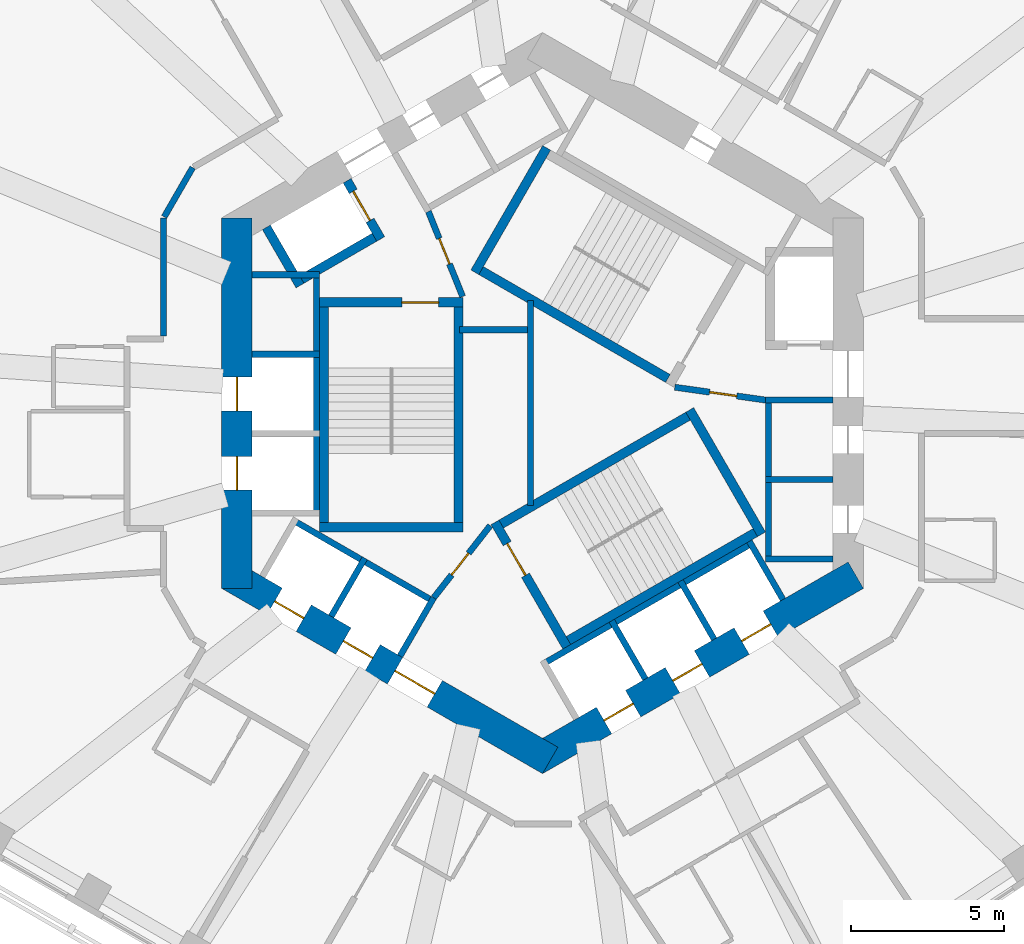
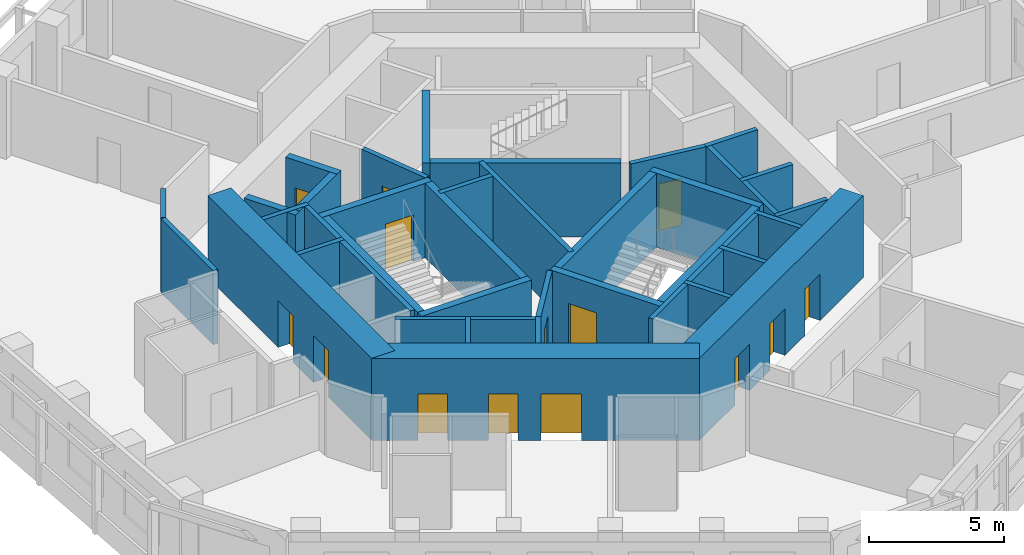
# One storey, part 5 of 11: 37 walls, 14 doors, 14 openings.
"""IFC4 building model written with IfcOpenShell, lengths in metres."""

from ifc_helpers import new_model, si_unit, direction, frame, frame_2d, origin, place, context, subcontext, project, spatial, rectangle, extrude, material, layer, layer_set, type_object, element, fill, save


model = new_model("IFC4")

# Units and contexts
model_context = context("Model", 3, precision=1e-05, world=origin(), true_north=direction((0.0, 1.0)))
body_context = subcontext(model_context, "Body", "Model", "MODEL_VIEW")
ifc_project = project(units=[si_unit("LENGTHUNIT", "METRE"), si_unit("AREAUNIT", "SQUARE_METRE"), si_unit("VOLUMEUNIT", "CUBIC_METRE"), si_unit("PLANEANGLEUNIT", "RADIAN"), si_unit("MASSUNIT", "GRAM", prefix="KILO")], contexts=[model_context])

# Site, building, storey
site_placement = place(None, origin())
site = spatial("IfcSite", under=ifc_project, at=site_placement, CompositionType="ELEMENT")
building_placement = place(site_placement, origin())
building = spatial("IfcBuilding", under=site, at=building_placement, Name="Vanh Sen Convention Tower", CompositionType="ELEMENT")
storey_placement = place(building_placement, frame((0.0, 0.0, 202.10009765625)))
storey = spatial("IfcBuildingStorey", under=building, at=storey_placement, Name="L50", CompositionType="ELEMENT", Elevation=202.10009765625)

# Wall, openings, doors
ifc_material_1 = material(Name="Concrete C80/95", Category="concrete")
ifc_layer_1 = layer(ifc_material_1, 1.0)
ifc_layer_set_1 = layer_set([ifc_layer_1], Name="Concrete C80/95")
wall_type_1 = type_object("IfcWallType", Name="Core outer wall 1000 C80/95", PredefinedType="SHEAR", material=ifc_layer_set_1)
wall_1_placement = place(storey_placement, frame((-10.0, 6.062255859375, 0.0), z_axis=(0.0, 0.0, 1.0), x_axis=(0.0, -1.0, 0.0)))
wall_1 = element("IfcWall", 1, at=wall_1_placement, inside=storey, type_object=wall_type_1, Name="Core wall face W L50", PredefinedType="SHEAR", context=body_context, shape_type="SweptSolid", body=[
    extrude(rectangle(XDim=12.12451171875, YDim=1.0, at=frame_2d((6.062255859375, 0.0))), origin(), (0.0, 0.0, 1.0), 3.699951171875),
])
opening_1_placement = place(wall_1_placement, frame((5.212158203125, 0.0, 0.0)))
opening_1 = element("IfcOpeningElement", 2, at=opening_1_placement, cuts=wall_1, Name="Opening LD-HR1", PredefinedType="OPENING", context=body_context, shape_type="SweptSolid", body=[
    extrude(rectangle(XDim=1.10009765625, YDim=2.10009765625, at=frame_2d((0.550048828125, 1.050048828125))), frame((0.0, 0.510009765625, 0.0), z_axis=(0.0, -1.0, 0.0), x_axis=(1.0, 0.0, 0.0)), (0.0, 0.0, 1.0), 1.02001953125),
])
opening_2_placement = place(wall_1_placement, frame((7.812255859375, 0.0, 0.0)))
opening_2 = element("IfcOpeningElement", 3, at=opening_2_placement, cuts=wall_1, Name="Opening LD-HR2", PredefinedType="OPENING", context=body_context, shape_type="SweptSolid", body=[
    extrude(rectangle(XDim=1.10009765625, YDim=2.10009765625, at=frame_2d((0.550048828125, 1.050048828125))), frame((0.0, 0.510009765625, 0.0), z_axis=(0.0, -1.0, 0.0), x_axis=(1.0, 0.0, 0.0)), (0.0, 0.0, 1.0), 1.02001953125),
])
ifc_material_2 = material(Name="Stainless steel", Category="steel")
door_type_1 = type_object("IfcDoorType", Name="Lift landing door 1100", OperationType="DOUBLE_DOOR_SLIDING", PredefinedType="DOOR", material=ifc_material_2)
door_1_placement = place(opening_1_placement, origin())
door_1 = element("IfcDoor", 4, at=door_1_placement, inside=storey, type_object=door_type_1, Name="Lift HR1 landing door LD-HR1", OperationType="DOUBLE_DOOR_SLIDING", OverallHeight=2.10009765625, OverallWidth=1.10009765625, PredefinedType="DOOR", context=body_context, shape_type="SweptSolid", body=[
    extrude(rectangle(XDim=1.10009765625, YDim=2.10009765625, at=frame_2d((0.550048828125, 1.050048828125))), frame((0.0, 0.02490234375, 0.0), z_axis=(0.0, -1.0, 0.0), x_axis=(1.0, 0.0, 0.0)), (0.0, 0.0, 1.0), 0.050048828125),
])
fill(opening_1, door_1)
door_2_placement = place(opening_2_placement, origin())
door_2 = element("IfcDoor", 5, at=door_2_placement, inside=storey, type_object=door_type_1, Name="Lift HR2 landing door LD-HR2", OperationType="DOUBLE_DOOR_SLIDING", OverallHeight=2.10009765625, OverallWidth=1.10009765625, PredefinedType="DOOR", context=body_context, shape_type="SweptSolid", body=[
    extrude(rectangle(XDim=1.10009765625, YDim=2.10009765625, at=frame_2d((0.550048828125, 1.050048828125))), frame((0.0, 0.02490234375, 0.0), z_axis=(0.0, -1.0, 0.0), x_axis=(1.0, 0.0, 0.0)), (0.0, 0.0, 1.0), 0.050048828125),
])
fill(opening_2, door_2)

wall_2_placement = place(storey_placement, frame((-10.25, -5.629150390625, 0.0), z_axis=(0.0, 0.0, 1.0), x_axis=(0.866022616891, -0.50000482701, 0.0)))
wall_2 = element("IfcWall", 6, at=wall_2_placement, inside=storey, type_object=wall_type_1, Name="Core wall face SW L50", PredefinedType="SHEAR", context=body_context, shape_type="SweptSolid", body=[
    extrude(rectangle(XDim=12.12451171875, YDim=1.0, at=frame_2d((6.062255859375, 0.0))), origin(), (0.0, 0.0, 1.0), 3.699951171875),
])
opening_3_placement = place(wall_2_placement, frame((6.26220703125, 0.0, 0.0)))
opening_3 = element("IfcOpeningElement", 7, at=opening_3_placement, cuts=wall_2, Name="Opening D49003", PredefinedType="OPENING", context=body_context, shape_type="SweptSolid", body=[
    extrude(rectangle(XDim=1.5, YDim=2.10009765625, at=frame_2d((0.75, 1.050048828125))), frame((0.0, 0.510009765625, 0.0), z_axis=(0.0, -1.0, 0.0), x_axis=(1.0, 0.0, 0.0)), (0.0, 0.0, 1.0), 1.02001953125),
])
opening_4_placement = place(wall_2_placement, frame((1.712158203125, 0.0, 0.0)))
opening_4 = element("IfcOpeningElement", 8, at=opening_4_placement, cuts=wall_2, Name="Opening LD-HR3", PredefinedType="OPENING", context=body_context, shape_type="SweptSolid", body=[
    extrude(rectangle(XDim=1.10009765625, YDim=2.10009765625, at=frame_2d((0.550048828125, 1.050048828125))), frame((0.0, 0.510009765625, 0.0), z_axis=(0.0, -1.0, 0.0), x_axis=(1.0, 0.0, 0.0)), (0.0, 0.0, 1.0), 1.02001953125),
])
opening_5_placement = place(wall_2_placement, frame((4.312255859375, 0.0, 0.0)))
opening_5 = element("IfcOpeningElement", 9, at=opening_5_placement, cuts=wall_2, Name="Opening LD-HR4", PredefinedType="OPENING", context=body_context, shape_type="SweptSolid", body=[
    extrude(rectangle(XDim=1.10009765625, YDim=2.10009765625, at=frame_2d((0.550048828125, 1.050048828125))), frame((0.0, 0.510009765625, 0.0), z_axis=(0.0, -1.0, 0.0), x_axis=(1.0, 0.0, 0.0)), (0.0, 0.0, 1.0), 1.02001953125),
])
door_3_placement = place(opening_4_placement, origin())
door_3 = element("IfcDoor", 10, at=door_3_placement, inside=storey, type_object=door_type_1, Name="Lift HR3 landing door LD-HR3", OperationType="DOUBLE_DOOR_SLIDING", OverallHeight=2.10009765625, OverallWidth=1.10009765625, PredefinedType="DOOR", context=body_context, shape_type="SweptSolid", body=[
    extrude(rectangle(XDim=1.10009765625, YDim=2.10009765625, at=frame_2d((0.550048828125, 1.050048828125))), frame((0.0, 0.02490234375, 0.0), z_axis=(0.0, -1.0, 0.0), x_axis=(1.0, 0.0, 0.0)), (0.0, 0.0, 1.0), 0.050048828125),
])
fill(opening_4, door_3)
door_4_placement = place(opening_5_placement, origin())
door_4 = element("IfcDoor", 11, at=door_4_placement, inside=storey, type_object=door_type_1, Name="Lift HR4 landing door LD-HR4", OperationType="DOUBLE_DOOR_SLIDING", OverallHeight=2.10009765625, OverallWidth=1.10009765625, PredefinedType="DOOR", context=body_context, shape_type="SweptSolid", body=[
    extrude(rectangle(XDim=1.10009765625, YDim=2.10009765625, at=frame_2d((0.550048828125, 1.050048828125))), frame((0.0, 0.02490234375, 0.0), z_axis=(0.0, -1.0, 0.0), x_axis=(1.0, 0.0, 0.0)), (0.0, 0.0, 1.0), 0.050048828125),
])
fill(opening_5, door_4)
ifc_material_3 = material(Name="Steel S355", Category="steel")
door_type_2 = type_object("IfcDoorType", Name="Stair lobby door 1500", OperationType="DOUBLE_DOOR_SINGLE_SWING", PredefinedType="DOOR", material=ifc_material_3)
door_5_placement = place(opening_3_placement, origin())
door_5 = element("IfcDoor", 12, at=door_5_placement, inside=storey, type_object=door_type_2, Name="Stair lobby door D49003", OperationType="DOUBLE_DOOR_SINGLE_SWING", OverallHeight=2.10009765625, OverallWidth=1.5, PredefinedType="DOOR", context=body_context, shape_type="SweptSolid", body=[
    extrude(rectangle(XDim=1.5, YDim=2.10009765625, at=frame_2d((0.75, 1.050048828125))), frame((0.0, 0.02490234375, 0.0), z_axis=(0.0, -1.0, 0.0), x_axis=(1.0, 0.0, 0.0)), (0.0, 0.0, 1.0), 0.050048828125),
])
fill(opening_3, door_5)

wall_3_placement = place(storey_placement, frame((-0.25, -11.69140625, 0.0), z_axis=(0.0, 0.0, 1.0), x_axis=(0.866022616891, 0.50000482701, 0.0)))
wall_3 = element("IfcWall", 13, at=wall_3_placement, inside=storey, type_object=wall_type_1, Name="Core wall face SE L50", PredefinedType="SHEAR", context=body_context, shape_type="SweptSolid", body=[
    extrude(rectangle(XDim=12.12451171875, YDim=1.0, at=frame_2d((6.062255859375, 0.0))), origin(), (0.0, 0.0, 1.0), 3.699951171875),
])
opening_6_placement = place(wall_3_placement, frame((2.6123046875, 0.0, 0.0)))
opening_6 = element("IfcOpeningElement", 14, at=opening_6_placement, cuts=wall_3, Name="Opening LD-HR5", PredefinedType="OPENING", context=body_context, shape_type="SweptSolid", body=[
    extrude(rectangle(XDim=1.10009765625, YDim=2.10009765625, at=frame_2d((0.550048828125, 1.050048828125))), frame((0.0, 0.510009765625, 0.0), z_axis=(0.0, -1.0, 0.0), x_axis=(1.0, 0.0, 0.0)), (0.0, 0.0, 1.0), 1.02001953125),
])
opening_7_placement = place(wall_3_placement, frame((5.212158203125, 0.0, 0.0)))
opening_7 = element("IfcOpeningElement", 15, at=opening_7_placement, cuts=wall_3, Name="Opening LD-HR6", PredefinedType="OPENING", context=body_context, shape_type="SweptSolid", body=[
    extrude(rectangle(XDim=1.10009765625, YDim=2.10009765625, at=frame_2d((0.550048828125, 1.050048828125))), frame((0.0, 0.510009765625, 0.0), z_axis=(0.0, -1.0, 0.0), x_axis=(1.0, 0.0, 0.0)), (0.0, 0.0, 1.0), 1.02001953125),
])
opening_8_placement = place(wall_3_placement, frame((7.812255859375, 0.0, 0.0)))
opening_8 = element("IfcOpeningElement", 16, at=opening_8_placement, cuts=wall_3, Name="Opening LD-SV1", PredefinedType="OPENING", context=body_context, shape_type="SweptSolid", body=[
    extrude(rectangle(XDim=1.10009765625, YDim=2.10009765625, at=frame_2d((0.550048828125, 1.050048828125))), frame((0.0, 0.510009765625, 0.0), z_axis=(0.0, -1.0, 0.0), x_axis=(1.0, 0.0, 0.0)), (0.0, 0.0, 1.0), 1.02001953125),
])
door_6_placement = place(opening_6_placement, origin())
door_6 = element("IfcDoor", 17, at=door_6_placement, inside=storey, type_object=door_type_1, Name="Lift HR5 landing door LD-HR5", OperationType="DOUBLE_DOOR_SLIDING", OverallHeight=2.10009765625, OverallWidth=1.10009765625, PredefinedType="DOOR", context=body_context, shape_type="SweptSolid", body=[
    extrude(rectangle(XDim=1.10009765625, YDim=2.10009765625, at=frame_2d((0.550048828125, 1.050048828125))), frame((0.0, 0.02490234375, 0.0), z_axis=(0.0, -1.0, 0.0), x_axis=(1.0, 0.0, 0.0)), (0.0, 0.0, 1.0), 0.050048828125),
])
fill(opening_6, door_6)
door_7_placement = place(opening_7_placement, origin())
door_7 = element("IfcDoor", 18, at=door_7_placement, inside=storey, type_object=door_type_1, Name="Lift HR6 landing door LD-HR6", OperationType="DOUBLE_DOOR_SLIDING", OverallHeight=2.10009765625, OverallWidth=1.10009765625, PredefinedType="DOOR", context=body_context, shape_type="SweptSolid", body=[
    extrude(rectangle(XDim=1.10009765625, YDim=2.10009765625, at=frame_2d((0.550048828125, 1.050048828125))), frame((0.0, 0.02490234375, 0.0), z_axis=(0.0, -1.0, 0.0), x_axis=(1.0, 0.0, 0.0)), (0.0, 0.0, 1.0), 0.050048828125),
])
fill(opening_7, door_7)
door_8_placement = place(opening_8_placement, origin())
door_8 = element("IfcDoor", 19, at=door_8_placement, inside=storey, type_object=door_type_1, Name="Lift SV1 landing door LD-SV1", OperationType="DOUBLE_DOOR_SLIDING", OverallHeight=2.10009765625, OverallWidth=1.10009765625, PredefinedType="DOOR", context=body_context, shape_type="SweptSolid", body=[
    extrude(rectangle(XDim=1.10009765625, YDim=2.10009765625, at=frame_2d((0.550048828125, 1.050048828125))), frame((0.0, 0.02490234375, 0.0), z_axis=(0.0, -1.0, 0.0), x_axis=(1.0, 0.0, 0.0)), (0.0, 0.0, 1.0), 0.050048828125),
])
fill(opening_8, door_8)

# Walls
ifc_material_4 = material(Name="Masonry blockwork", Category="masonry")
ifc_layer_2 = layer(ifc_material_4, 0.199951171875)
ifc_layer_set_2 = layer_set([ifc_layer_2], Name="Masonry blockwork")
wall_type_2 = type_object("IfcWallType", Name="Core partition 200", PredefinedType="PARTITIONING", material=ifc_layer_set_2)
wall_4_placement = place(storey_placement, frame((-2.719970703125, 2.39990234375, 0.0), z_axis=(0.0, 0.0, 1.0), x_axis=(1.0, 0.0, 0.0)))
element("IfcWall", 20, at=wall_4_placement, inside=storey, type_object=wall_type_2, Name="Core partition L50", PredefinedType="PARTITIONING", context=body_context, shape_type="SweptSolid", body=[
    extrude(rectangle(XDim=2.219970703125, YDim=0.199951171875, at=frame_2d((1.10986328125, 0.0))), origin(), (0.0, 0.0, 1.0), 3.349853515625),
])
wall_5_placement = place(storey_placement, frame((-0.39990234375, -3.353271484375, 0.0), z_axis=(0.0, 0.0, 1.0), x_axis=(0.0, 1.0, 0.0)))
element("IfcWall", 21, at=wall_5_placement, inside=storey, type_object=wall_type_2, Name="Core partition L50", PredefinedType="PARTITIONING", context=body_context, shape_type="SweptSolid", body=[
    extrude(rectangle(XDim=6.70654296875, YDim=0.199951171875, at=frame_2d((3.353271484375, 0.0))), origin(), (0.0, 0.0, 1.0), 3.349853515625),
])
ifc_material_5 = material(Name="Gypsum board on steel studs with mineral wool", Category="steel")
ifc_layer_3 = layer(ifc_material_5, 0.199951171875)
ifc_layer_set_3 = layer_set([ifc_layer_3], Name="Gypsum board on steel studs with mineral wool")
wall_type_3 = type_object("IfcWallType", Name="Corridor partition wall 200", PredefinedType="PARTITIONING", material=ifc_layer_set_3)
wall_6_placement = place(storey_placement, frame((-12.39990234375, 6.062255859375, 0.0), z_axis=(0.0, 0.0, 1.0), x_axis=(0.0, -1.0, 0.0)))
element("IfcWall", 22, at=wall_6_placement, inside=storey, type_object=wall_type_3, Name="Corridor partition wall 200", PredefinedType="PARTITIONING", context=body_context, shape_type="SweptSolid", body=[
    extrude(rectangle(XDim=3.861328125, YDim=0.199951171875, at=frame_2d((1.9306640625, 0.0))), origin(), (0.0, 0.0, 1.0), 3.349853515625),
])
wall_7_placement = place(storey_placement, frame((-11.449951171875, 7.70751953125, 0.0), z_axis=(0.0, 0.0, 1.0), x_axis=(-0.499964847546, -0.866045698112, 0.0)))
element("IfcWall", 23, at=wall_7_placement, inside=storey, type_object=wall_type_3, Name="Corridor partition wall 200", PredefinedType="PARTITIONING", context=body_context, shape_type="SweptSolid", body=[
    extrude(rectangle(XDim=1.860107421875, YDim=0.199951171875, at=frame_2d((0.93017578125, 0.0))), origin(), (0.0, 0.0, 1.0), 3.349853515625),
])

# Wall, opening, door
ifc_material_6 = material(Name="Concrete C60/75", Category="concrete")
ifc_layer_4 = layer(ifc_material_6, 0.300048828125)
ifc_layer_set_4 = layer_set([ifc_layer_4], Name="Concrete C60/75")
wall_type_4 = type_object("IfcWallType", Name="Fire-fighting lift shaft wall 300", PredefinedType="SHEAR", material=ifc_layer_set_4)
wall_8_placement = place(storey_placement, frame((-5.29541015625, 5.3720703125, 0.0), z_axis=(0.0, 0.0, 1.0), x_axis=(-0.500077893725, 0.86598042715, 0.0)))
wall_8 = element("IfcWall", 24, at=wall_8_placement, inside=storey, type_object=wall_type_4, Name="Fire-fighting lift shaft wall L50", PredefinedType="SHEAR", context=body_context, shape_type="SweptSolid", body=[
    extrude(rectangle(XDim=2.199951171875, YDim=0.300048828125, at=frame_2d((1.10009765625, 0.0))), origin(), (0.0, 0.0, 1.0), 3.349853515625),
])
opening_9_placement = place(wall_8_placement, frame((0.699951171875, 0.0, 0.0)))
opening_9 = element("IfcOpeningElement", 25, at=opening_9_placement, cuts=wall_8, Name="Opening LD-FF2", PredefinedType="OPENING", context=body_context, shape_type="SweptSolid", body=[
    extrude(rectangle(XDim=1.10009765625, YDim=2.10009765625, at=frame_2d((0.550048828125, 1.050048828125))), frame((0.0, 0.159912109375, 0.0), z_axis=(0.0, -1.0, 0.0), x_axis=(1.0, 0.0, 0.0)), (0.0, 0.0, 1.0), 0.320068359375),
])
door_type_3 = type_object("IfcDoorType", Name="Fire-fighting lift landing door 1100", OperationType="DOUBLE_DOOR_SLIDING", PredefinedType="DOOR", material=ifc_material_2)
door_9_placement = place(opening_9_placement, origin())
door_9 = element("IfcDoor", 26, at=door_9_placement, inside=storey, type_object=door_type_3, Name="Lift FF2 landing door LD-FF2", OperationType="DOUBLE_DOOR_SLIDING", OverallHeight=2.10009765625, OverallWidth=1.10009765625, PredefinedType="DOOR", context=body_context, shape_type="SweptSolid", body=[
    extrude(rectangle(XDim=1.10009765625, YDim=2.10009765625, at=frame_2d((0.550048828125, 1.050048828125))), frame((0.0, 0.02490234375, 0.0), z_axis=(0.0, -1.0, 0.0), x_axis=(1.0, 0.0, 0.0)), (0.0, 0.0, 1.0), 0.050048828125),
])
fill(opening_9, door_9)

# Walls
wall_9_placement = place(storey_placement, frame((-5.240478515625, 5.576904296875, 0.0), z_axis=(0.0, 0.0, 1.0), x_axis=(-0.866014461049, -0.500018952895, 0.0)))
element("IfcWall", 27, at=wall_9_placement, inside=storey, type_object=wall_type_4, Name="Fire-fighting lift shaft wall L50", PredefinedType="SHEAR", context=body_context, shape_type="SweptSolid", body=[
    extrude(rectangle(XDim=3.349853515625, YDim=0.300048828125, at=frame_2d((1.6748046875, 0.0))), origin(), (0.0, 0.0, 1.0), 3.349853515625),
])
wall_10_placement = place(storey_placement, frame((-7.936767578125, 3.846923828125, 0.0), z_axis=(0.0, 0.0, 1.0), x_axis=(-0.50002983664, 0.866008176907, 0.0)))
element("IfcWall", 28, at=wall_10_placement, inside=storey, type_object=wall_type_4, Name="Fire-fighting lift shaft wall L50", PredefinedType="SHEAR", context=body_context, shape_type="SweptSolid", body=[
    extrude(rectangle(XDim=2.199951171875, YDim=0.300048828125, at=frame_2d((1.10009765625, 0.0))), origin(), (0.0, 0.0, 1.0), 3.349853515625),
])
ifc_material_7 = material(Name="Concrete C40/50", Category="concrete")
ifc_layer_5 = layer(ifc_material_7, 0.199951171875)
ifc_layer_set_5 = layer_set([ifc_layer_5], Name="Concrete C40/50")
wall_type_5 = type_object("IfcWallType", Name="Lift shaft wall 200", PredefinedType="PARTITIONING", material=ifc_layer_set_5)
wall_11_placement = place(storey_placement, frame((7.39990234375, -5.199951171875, 0.0), z_axis=(0.0, 0.0, 1.0), x_axis=(0.0, 1.0, 0.0)))
element("IfcWall", 29, at=wall_11_placement, inside=storey, type_object=wall_type_5, Name="Lift shaft wall L50", PredefinedType="PARTITIONING", context=body_context, shape_type="SweptSolid", body=[
    extrude(rectangle(XDim=5.39990234375, YDim=0.199951171875, at=frame_2d((2.699951171875, 0.0))), origin(), (0.0, 0.0, 1.0), 3.349853515625),
])
for number, where, z_axis, x_axis, name in (
    (30, (7.300048828125, -5.10009765625, 0.0), (0.0, 0.0, 1.0), (1.0, 0.0, 0.0), "Lift shaft wall L50"),
    (31, (7.300048828125, -2.5, 0.0), (0.0, 0.0, 1.0), (1.0, 0.0, 0.0), "Lift shaft wall L50"),
    (32, (7.300048828125, 0.10009765625, 0.0), (0.0, 0.0, 1.0), (1.0, 0.0, 0.0), "Lift shaft wall L50"),
):
    element("IfcWall", number, at=place(storey_placement, frame(where, z_axis=z_axis, x_axis=x_axis)), inside=storey, type_object=wall_type_5, Name=name, PredefinedType="PARTITIONING", context=body_context, shape_type="SweptSolid", body=[
        extrude(rectangle(XDim=2.199951171875, YDim=0.199951171875, at=frame_2d((1.10009765625, 0.0))), origin(), (0.0, 0.0, 1.0), 3.349853515625),
    ])
wall_12_placement = place(storey_placement, frame((-7.39990234375, 4.300048828125, 0.0), z_axis=(0.0, 0.0, 1.0), x_axis=(0.0, -1.0, 0.0)))
element("IfcWall", 33, at=wall_12_placement, inside=storey, type_object=wall_type_5, Name="Lift shaft wall L50", PredefinedType="PARTITIONING", context=body_context, shape_type="SweptSolid", body=[
    extrude(rectangle(XDim=8.0, YDim=0.199951171875, at=frame_2d((4.0, 0.0))), origin(), (0.0, 0.0, 1.0), 3.349853515625),
])
for number, where, z_axis, x_axis, name in (
    (34, (-7.300048828125, 4.199951171875, 0.0), (0.0, 0.0, 1.0), (-1.0, 0.0, 0.0), "Lift shaft wall L50"),
    (35, (-7.300048828125, 1.60009765625, 0.0), (0.0, 0.0, 1.0), (-1.0, 0.0, 0.0), "Lift shaft wall L50"),
):
    element("IfcWall", number, at=place(storey_placement, frame(where, z_axis=z_axis, x_axis=x_axis)), inside=storey, type_object=wall_type_5, Name=name, PredefinedType="PARTITIONING", context=body_context, shape_type="SweptSolid", body=[
        extrude(rectangle(XDim=2.199951171875, YDim=0.199951171875, at=frame_2d((1.10009765625, 0.0))), origin(), (0.0, 0.0, 1.0), 3.349853515625),
    ])
wall_13_placement = place(storey_placement, frame((-8.203369140625, -3.80859375, 0.0), z_axis=(0.0, 0.0, 1.0), x_axis=(0.866028230842, -0.499995103361, 0.0)))
element("IfcWall", 36, at=wall_13_placement, inside=storey, type_object=wall_type_5, Name="Lift shaft wall L50", PredefinedType="PARTITIONING", context=body_context, shape_type="SweptSolid", body=[
    extrude(rectangle(XDim=5.39990234375, YDim=0.199951171875, at=frame_2d((2.699951171875, 0.0))), origin(), (0.0, 0.0, 1.0), 3.349853515625),
])
wall_14_placement = place(storey_placement, frame((-5.815185546875, -5.072021484375, 0.0), z_axis=(0.0, 0.0, 1.0), x_axis=(-0.499946605688, -0.86605622881, 0.0)))
element("IfcWall", 37, at=wall_14_placement, inside=storey, type_object=wall_type_5, Name="Lift shaft wall L50", PredefinedType="PARTITIONING", context=body_context, shape_type="SweptSolid", body=[
    extrude(rectangle(XDim=2.199951171875, YDim=0.199951171875, at=frame_2d((1.10009765625, 0.0))), origin(), (0.0, 0.0, 1.0), 3.349853515625),
])
wall_15_placement = place(storey_placement, frame((-3.5634765625, -6.3720703125, 0.0), z_axis=(0.0, 0.0, 1.0), x_axis=(-0.499994660107, -0.866028486751, 0.0)))
element("IfcWall", 38, at=wall_15_placement, inside=storey, type_object=wall_type_5, Name="Lift shaft wall L50", PredefinedType="PARTITIONING", context=body_context, shape_type="SweptSolid", body=[
    extrude(rectangle(XDim=2.19970703125, YDim=0.199951171875, at=frame_2d((1.099853515625, 0.0))), origin(), (0.0, 0.0, 1.0), 3.349853515625),
])
wall_16_placement = place(storey_placement, frame((-0.02392578125, -8.55859375, 0.0), z_axis=(0.0, 0.0, 1.0), x_axis=(0.866026010844, 0.49999894854, 0.0)))
element("IfcWall", 39, at=wall_16_placement, inside=storey, type_object=wall_type_5, Name="Lift shaft wall L50", PredefinedType="PARTITIONING", context=body_context, shape_type="SweptSolid", body=[
    extrude(rectangle(XDim=8.0, YDim=0.199951171875, at=frame_2d((4.0, 0.0))), origin(), (0.0, 0.0, 1.0), 3.349853515625),
])
for number, where, z_axis, x_axis, name in (
    (40, (2.264404296875, -7.1220703125, 0.0), (0.0, 0.0, 1.0), (0.500077893725, -0.86598042715, 0.0), "Lift shaft wall L50"),
    (41, (4.51611328125, -5.822021484375, 0.0), (0.0, 0.0, 1.0), (0.499946605688, -0.86605622881, 0.0), "Lift shaft wall L50"),
    (42, (6.767578125, -4.52197265625, 0.0), (0.0, 0.0, 1.0), (0.50002983664, -0.866008176907, 0.0), "Lift shaft wall L50"),
):
    element("IfcWall", number, at=place(storey_placement, frame(where, z_axis=z_axis, x_axis=x_axis)), inside=storey, type_object=wall_type_5, Name=name, PredefinedType="PARTITIONING", context=body_context, shape_type="SweptSolid", body=[
        extrude(rectangle(XDim=2.199951171875, YDim=0.199951171875, at=frame_2d((1.10009765625, 0.0))), origin(), (0.0, 0.0, 1.0), 3.349853515625),
    ])

# Wall, opening, door
ifc_layer_6 = layer(ifc_material_7, 0.199951171875)
ifc_layer_set_6 = layer_set([ifc_layer_6], Name="Concrete C40/50")
wall_type_6 = type_object("IfcWallType", Name="Stair lobby wall 200", PredefinedType="PARTITIONING", material=ifc_layer_set_6)
wall_17_placement = place(storey_placement, frame((4.327392578125, 0.52099609375, 0.0), z_axis=(0.0, 0.0, 1.0), x_axis=(0.990124376366, -0.14019172346, 0.0)))
wall_17 = element("IfcWall", 43, at=wall_17_placement, inside=storey, type_object=wall_type_6, Name="Stair lobby wall L50", PredefinedType="PARTITIONING", context=body_context, shape_type="SweptSolid", body=[
    extrude(rectangle(XDim=3.002197265625, YDim=0.199951171875, at=frame_2d((1.5009765625, 0.0))), origin(), (0.0, 0.0, 1.0), 3.349853515625),
])
opening_10_placement = place(wall_17_placement, frame((1.14990234375, 0.0, 0.0)))
opening_10 = element("IfcOpeningElement", 44, at=opening_10_placement, cuts=wall_17, Name="Opening D49007", PredefinedType="OPENING", context=body_context, shape_type="SweptSolid", body=[
    extrude(rectangle(XDim=0.89990234375, YDim=2.10009765625, at=frame_2d((0.449951171875, 1.050048828125))), frame((0.0, 0.10986328125, 0.0), z_axis=(0.0, -1.0, 0.0), x_axis=(1.0, 0.0, 0.0)), (0.0, 0.0, 1.0), 0.219970703125),
])
door_type_4 = type_object("IfcDoorType", Name="Plant door 900", OperationType="SINGLE_SWING_LEFT", PredefinedType="DOOR", material=ifc_material_3)
door_10_placement = place(opening_10_placement, origin())
door_10 = element("IfcDoor", 45, at=door_10_placement, inside=storey, type_object=door_type_4, Name="Plant door D49007", OperationType="SINGLE_SWING_LEFT", OverallHeight=2.10009765625, OverallWidth=0.89990234375, PredefinedType="DOOR", context=body_context, shape_type="SweptSolid", body=[
    extrude(rectangle(XDim=0.89990234375, YDim=2.10009765625, at=frame_2d((0.449951171875, 1.050048828125))), frame((0.0, 0.02490234375, 0.0), z_axis=(0.0, -1.0, 0.0), x_axis=(1.0, 0.0, 0.0)), (0.0, 0.0, 1.0), 0.050048828125),
])
fill(opening_10, door_10)

wall_18_placement = place(storey_placement, frame((-2.614990234375, 3.487060546875, 0.0), z_axis=(0.0, 0.0, 1.0), x_axis=(-0.373576831041, 0.92759924068, 0.0)))
wall_18 = element("IfcWall", 46, at=wall_18_placement, inside=storey, type_object=wall_type_6, Name="Stair lobby wall L50", PredefinedType="PARTITIONING", context=body_context, shape_type="SweptSolid", body=[
    extrude(rectangle(XDim=3.002197265625, YDim=0.199951171875, at=frame_2d((1.5009765625, 0.0))), origin(), (0.0, 0.0, 1.0), 3.349853515625),
])
opening_11_placement = place(wall_18_placement, frame((1.14990234375, 0.0, 0.0)))
opening_11 = element("IfcOpeningElement", 47, at=opening_11_placement, cuts=wall_18, Name="Opening D49008", PredefinedType="OPENING", context=body_context, shape_type="SweptSolid", body=[
    extrude(rectangle(XDim=0.89990234375, YDim=2.10009765625, at=frame_2d((0.449951171875, 1.050048828125))), frame((0.0, 0.10986328125, 0.0), z_axis=(0.0, -1.0, 0.0), x_axis=(1.0, 0.0, 0.0)), (0.0, 0.0, 1.0), 0.219970703125),
])
door_11_placement = place(opening_11_placement, origin())
door_11 = element("IfcDoor", 48, at=door_11_placement, inside=storey, type_object=door_type_4, Name="Plant door D49008", OperationType="SINGLE_SWING_LEFT", OverallHeight=2.10009765625, OverallWidth=0.89990234375, PredefinedType="DOOR", context=body_context, shape_type="SweptSolid", body=[
    extrude(rectangle(XDim=0.89990234375, YDim=2.10009765625, at=frame_2d((0.449951171875, 1.050048828125))), frame((0.0, 0.02490234375, 0.0), z_axis=(0.0, -1.0, 0.0), x_axis=(1.0, 0.0, 0.0)), (0.0, 0.0, 1.0), 0.050048828125),
])
fill(opening_11, door_11)

wall_19_placement = place(storey_placement, frame((-1.71240234375, -4.00830078125, 0.0), z_axis=(0.0, 0.0, 1.0), x_axis=(-0.616549420702, -0.787316208287, 0.0)))
wall_19 = element("IfcWall", 49, at=wall_19_placement, inside=storey, type_object=wall_type_6, Name="Stair lobby wall L50", PredefinedType="PARTITIONING", context=body_context, shape_type="SweptSolid", body=[
    extrude(rectangle(XDim=3.002197265625, YDim=0.199951171875, at=frame_2d((1.5009765625, 0.0))), origin(), (0.0, 0.0, 1.0), 3.349853515625),
])
opening_12_placement = place(wall_19_placement, frame((1.14990234375, 0.0, 0.0)))
opening_12 = element("IfcOpeningElement", 50, at=opening_12_placement, cuts=wall_19, Name="Opening D49009", PredefinedType="OPENING", context=body_context, shape_type="SweptSolid", body=[
    extrude(rectangle(XDim=0.89990234375, YDim=2.10009765625, at=frame_2d((0.449951171875, 1.050048828125))), frame((0.0, 0.10986328125, 0.0), z_axis=(0.0, -1.0, 0.0), x_axis=(1.0, 0.0, 0.0)), (0.0, 0.0, 1.0), 0.219970703125),
])
door_12_placement = place(opening_12_placement, origin())
door_12 = element("IfcDoor", 51, at=door_12_placement, inside=storey, type_object=door_type_4, Name="Plant door D49009", OperationType="SINGLE_SWING_LEFT", OverallHeight=2.10009765625, OverallWidth=0.89990234375, PredefinedType="DOOR", context=body_context, shape_type="SweptSolid", body=[
    extrude(rectangle(XDim=0.89990234375, YDim=2.10009765625, at=frame_2d((0.449951171875, 1.050048828125))), frame((0.0, 0.02490234375, 0.0), z_axis=(0.0, -1.0, 0.0), x_axis=(1.0, 0.0, 0.0)), (0.0, 0.0, 1.0), 0.050048828125),
])
fill(opening_12, door_12)

# Walls
ifc_layer_7 = layer(ifc_material_6, 0.300048828125)
ifc_layer_set_7 = layer_set([ifc_layer_7], Name="Concrete C60/75")
wall_type_7 = type_object("IfcWallType", Name="Stair wall 300", PredefinedType="SHEAR", material=ifc_layer_set_7)
wall_20_placement = place(storey_placement, frame((-2.216064453125, 4.28173828125, 0.0), z_axis=(0.0, 0.0, 1.0), x_axis=(0.499977259774, 0.866038532462, 0.0)))
element("IfcWall", 52, at=wall_20_placement, inside=storey, type_object=wall_type_7, Name="Stair wall L50", PredefinedType="SHEAR", context=body_context, shape_type="SweptSolid", body=[
    extrude(rectangle(XDim=4.699951171875, YDim=0.300048828125, at=frame_2d((2.35009765625, 0.0))), origin(), (0.0, 0.0, 1.0), 3.349853515625),
])
wall_21_placement = place(storey_placement, frame((4.10302734375, 0.806640625, 0.0), z_axis=(0.0, 0.0, 1.0), x_axis=(-0.866027801685, 0.499995846692, 0.0)))
element("IfcWall", 53, at=wall_21_placement, inside=storey, type_object=wall_type_7, Name="Stair wall L50", PredefinedType="SHEAR", context=body_context, shape_type="SweptSolid", body=[
    extrude(rectangle(XDim=7.06005859375, YDim=0.300048828125, at=frame_2d((3.530029296875, 0.0))), origin(), (0.0, 0.0, 1.0), 3.349853515625),
])

# Wall, opening, door
wall_22_placement = place(storey_placement, frame((-2.60009765625, 3.300048828125, 0.0), z_axis=(0.0, 0.0, 1.0), x_axis=(-1.0, 0.0, 0.0)))
wall_22 = element("IfcWall", 54, at=wall_22_placement, inside=storey, type_object=wall_type_7, Name="Stair wall L50", PredefinedType="SHEAR", context=body_context, shape_type="SweptSolid", body=[
    extrude(rectangle(XDim=4.699951171875, YDim=0.300048828125, at=frame_2d((2.35009765625, 0.0))), origin(), (0.0, 0.0, 1.0), 3.349853515625),
])
opening_13_placement = place(wall_22_placement, frame((0.800048828125, 0.0, 0.0)))
opening_13 = element("IfcOpeningElement", 55, at=opening_13_placement, cuts=wall_22, Name="Opening D49005", PredefinedType="OPENING", context=body_context, shape_type="SweptSolid", body=[
    extrude(rectangle(XDim=1.199951171875, YDim=2.10009765625, at=frame_2d((0.60009765625, 1.050048828125))), frame((0.0, 0.159912109375, 0.0), z_axis=(0.0, -1.0, 0.0), x_axis=(1.0, 0.0, 0.0)), (0.0, 0.0, 1.0), 0.320068359375),
])
door_type_5 = type_object("IfcDoorType", Name="Stair door 1200", OperationType="SINGLE_SWING_RIGHT", PredefinedType="DOOR", material=ifc_material_3)
door_13_placement = place(opening_13_placement, origin())
door_13 = element("IfcDoor", 56, at=door_13_placement, inside=storey, type_object=door_type_5, Name="Stair ST2 door D49005", OperationType="SINGLE_SWING_RIGHT", OverallHeight=2.10009765625, OverallWidth=1.199951171875, PredefinedType="DOOR", context=body_context, shape_type="SweptSolid", body=[
    extrude(rectangle(XDim=1.199951171875, YDim=2.10009765625, at=frame_2d((0.60009765625, 1.050048828125))), frame((0.0, 0.02490234375, 0.0), z_axis=(0.0, -1.0, 0.0), x_axis=(1.0, 0.0, 0.0)), (0.0, 0.0, 1.0), 0.050048828125),
])
fill(opening_13, door_13)

# Walls
wall_23_placement = place(storey_placement, frame((-2.60009765625, -4.06005859375, 0.0), z_axis=(0.0, 0.0, 1.0), x_axis=(-1.0, 0.0, 0.0)))
element("IfcWall", 57, at=wall_23_placement, inside=storey, type_object=wall_type_7, Name="Stair wall L50", PredefinedType="SHEAR", context=body_context, shape_type="SweptSolid", body=[
    extrude(rectangle(XDim=4.699951171875, YDim=0.300048828125, at=frame_2d((2.35009765625, 0.0))), origin(), (0.0, 0.0, 1.0), 3.349853515625),
])
for number, where, z_axis, x_axis, name in (
    (58, (-2.75, 3.14990234375, 0.0), (0.0, 0.0, 1.0), (0.0, -1.0, 0.0), "Stair wall L50"),
    (59, (-7.14990234375, 3.14990234375, 0.0), (0.0, 0.0, 1.0), (0.0, -1.0, 0.0), "Stair wall L50"),
):
    element("IfcWall", number, at=place(storey_placement, frame(where, z_axis=z_axis, x_axis=x_axis)), inside=storey, type_object=wall_type_7, Name=name, PredefinedType="SHEAR", context=body_context, shape_type="SweptSolid", body=[
        extrude(rectangle(XDim=7.059814453125, YDim=0.300048828125, at=frame_2d((3.52978515625, 0.0))), origin(), (0.0, 0.0, 1.0), 3.349853515625),
    ])

# Wall, opening, door
wall_24_placement = place(storey_placement, frame((-1.557861328125, -3.901611328125, 0.0), z_axis=(0.0, 0.0, 1.0), x_axis=(0.499977259774, -0.866038532462, 0.0)))
wall_24 = element("IfcWall", 60, at=wall_24_placement, inside=storey, type_object=wall_type_7, Name="Stair wall L50", PredefinedType="SHEAR", context=body_context, shape_type="SweptSolid", body=[
    extrude(rectangle(XDim=4.699951171875, YDim=0.300048828125, at=frame_2d((2.35009765625, 0.0))), origin(), (0.0, 0.0, 1.0), 3.349853515625),
])
opening_14_placement = place(wall_24_placement, frame((0.800048828125, 0.0, 0.0)))
opening_14 = element("IfcOpeningElement", 61, at=opening_14_placement, cuts=wall_24, Name="Opening D49006", PredefinedType="OPENING", context=body_context, shape_type="SweptSolid", body=[
    extrude(rectangle(XDim=1.199951171875, YDim=2.10009765625, at=frame_2d((0.60009765625, 1.050048828125))), frame((0.0, 0.159912109375, 0.0), z_axis=(0.0, -1.0, 0.0), x_axis=(1.0, 0.0, 0.0)), (0.0, 0.0, 1.0), 0.320068359375),
])
door_14_placement = place(opening_14_placement, origin())
door_14 = element("IfcDoor", 62, at=door_14_placement, inside=storey, type_object=door_type_5, Name="Stair ST3 door D49006", OperationType="SINGLE_SWING_RIGHT", OverallHeight=2.10009765625, OverallWidth=1.199951171875, PredefinedType="DOOR", context=body_context, shape_type="SweptSolid", body=[
    extrude(rectangle(XDim=1.199951171875, YDim=2.10009765625, at=frame_2d((0.60009765625, 1.050048828125))), frame((0.0, 0.02490234375, 0.0), z_axis=(0.0, -1.0, 0.0), x_axis=(1.0, 0.0, 0.0)), (0.0, 0.0, 1.0), 0.050048828125),
])
fill(opening_14, door_14)

# Walls
wall_25_placement = place(storey_placement, frame((4.816162109375, -0.2216796875, 0.0), z_axis=(0.0, 0.0, 1.0), x_axis=(0.499977259774, -0.866038532462, 0.0)))
element("IfcWall", 63, at=wall_25_placement, inside=storey, type_object=wall_type_7, Name="Stair wall L50", PredefinedType="SHEAR", context=body_context, shape_type="SweptSolid", body=[
    extrude(rectangle(XDim=4.699951171875, YDim=0.300048828125, at=frame_2d((2.35009765625, 0.0))), origin(), (0.0, 0.0, 1.0), 3.349853515625),
])
for number, where, z_axis, x_axis, name in (
    (64, (-1.35302734375, -3.95654296875, 0.0), (0.0, 0.0, 1.0), (0.866027801685, 0.499995846692, 0.0), "Stair wall L50"),
    (65, (0.846923828125, -7.76708984375, 0.0), (0.0, 0.0, 1.0), (0.866027801685, 0.499995846692, 0.0), "Stair wall L50"),
):
    element("IfcWall", number, at=place(storey_placement, frame(where, z_axis=z_axis, x_axis=x_axis)), inside=storey, type_object=wall_type_7, Name=name, PredefinedType="SHEAR", context=body_context, shape_type="SweptSolid", body=[
        extrude(rectangle(XDim=7.06005859375, YDim=0.300048828125, at=frame_2d((3.530029296875, 0.0))), origin(), (0.0, 0.0, 1.0), 3.349853515625),
    ])

save(model, "model.ifc")
